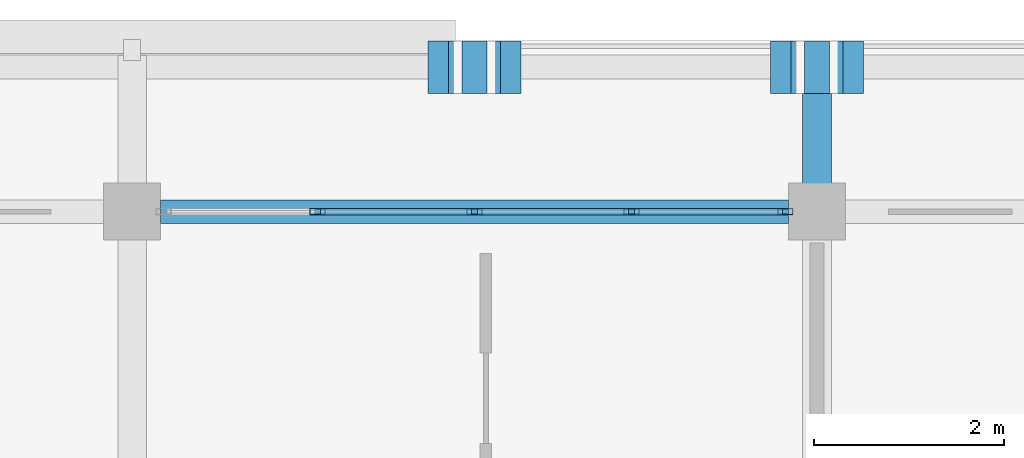
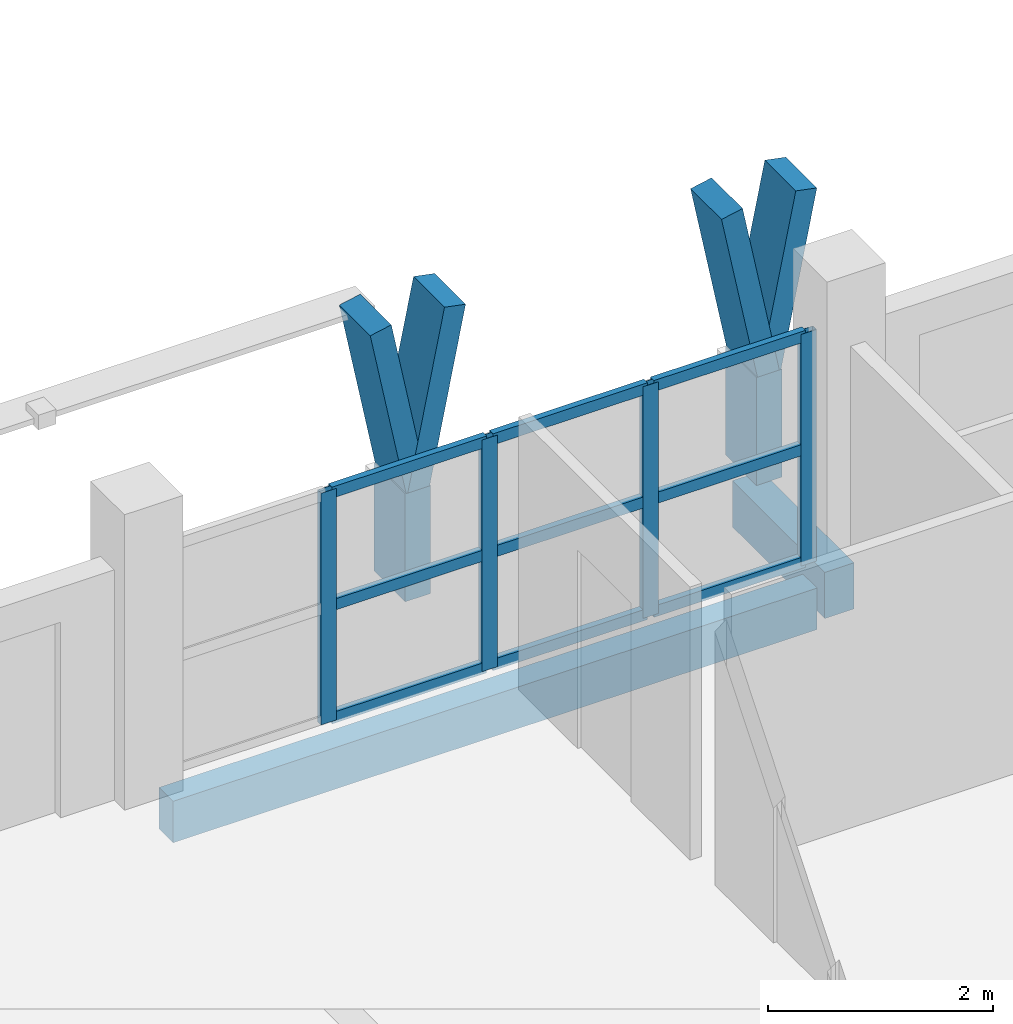
# One storey, part 11 of 56: 19 members, 2 beams, 1 element without a shape of its own.
"""IFC4 building model written with IfcOpenShell, lengths in metres."""

from ifc_helpers import new_model, si_unit, direction, frame, origin, origin_2d, place, context, subcontext, project, spatial, rectangle, hollow_rectangle, extrude, material, material_profile, profile_set, type_object, element, aggregate, save


model = new_model("IFC4")

# Units and contexts
model_context = context("Model", 3, precision=1e-05, world=origin(), true_north=direction((0.0, 1.0)))
body_context = subcontext(model_context, "Body", "Model", "MODEL_VIEW")
ifc_project = project(units=[si_unit("LENGTHUNIT", "METRE"), si_unit("AREAUNIT", "SQUARE_METRE"), si_unit("VOLUMEUNIT", "CUBIC_METRE"), si_unit("PLANEANGLEUNIT", "RADIAN"), si_unit("MASSUNIT", "GRAM", prefix="KILO")], contexts=[model_context])

# Site, building, storey
site_placement = place(None, origin())
site = spatial("IfcSite", under=ifc_project, at=site_placement, CompositionType="ELEMENT")
building_placement = place(site_placement, origin())
building = spatial("IfcBuilding", under=site, at=building_placement, Name="Suanplinth Sawtooth Commons", CompositionType="ELEMENT")
storey_placement = place(building_placement, frame((0.0, 0.0, 34.800048828125)))
storey = spatial("IfcBuildingStorey", under=building, at=storey_placement, Name="L10", CompositionType="ELEMENT", Elevation=34.800048828125)

# Beams
ifc_material_1 = material(Name="Precast concrete C40/50", Category="concrete")
ifc_material_profile_1 = material_profile(ifc_material_1, rectangle(XDim=0.300048828125, YDim=0.5, at=origin_2d()), Name="PC-BM 300x500")
ifc_profile_set_1 = profile_set([ifc_material_profile_1], Name="Precast concrete C40/50")
beam_type_1 = type_object("IfcBeamType", Name="B-07", PredefinedType="BEAM", material=ifc_profile_set_1)
beam_1_placement = place(storey_placement, frame((64.800048828125, 122.39990234375, -0.429931640625), z_axis=(0.0, 1.0, 0.0), x_axis=(-1.0, 0.0, 0.0)))
element("IfcBeam", 1, at=beam_1_placement, inside=storey, type_object=beam_type_1, Name="Balcony Outrigger L10-A-N-9", PredefinedType="BEAM", context=body_context, shape_type="SweptSolid", body=[
    extrude(rectangle(XDim=0.300048828125, YDim=0.5, at=origin_2d()), origin(), (0.0, 0.0, 1.0), 1.64013671875),
])
ifc_material_profile_2 = material_profile(ifc_material_1, rectangle(XDim=0.25, YDim=0.449951171875, at=origin_2d()), Name="PC-SP 250x450")
ifc_profile_set_2 = profile_set([ifc_material_profile_2], Name="Precast concrete C40/50")
beam_type_2 = type_object("IfcBeamType", Name="B-09", PredefinedType="SPANDREL", material=ifc_profile_set_2)
beam_2_placement = place(storey_placement, frame((57.89990234375, 122.39990234375, -0.445068359375), z_axis=(1.0, 0.0, 0.0), x_axis=(0.0, 1.0, 0.0)))
element("IfcBeam", 2, at=beam_2_placement, inside=storey, type_object=beam_type_2, Name="BMX-L10-A-8-17", PredefinedType="SPANDREL", context=body_context, shape_type="SweptSolid", body=[
    extrude(rectangle(XDim=0.25, YDim=0.449951171875, at=origin_2d()), origin(), (0.0, 0.0, 1.0), 6.60009765625),
])

# Members
ifc_material_2 = material(Name="Pigmented precast concrete C40/50", Category="concrete")
ifc_material_profile_3 = material_profile(ifc_material_2, rectangle(XDim=0.260009765625, YDim=0.550048828125, at=origin_2d()), Name="PC-FIN 260x550")
ifc_profile_set_3 = profile_set([ifc_material_profile_3], Name="Pigmented precast concrete C40/50")
member_type_1 = type_object("IfcMemberType", Name="M-09", PredefinedType="USERDEFINED", material=ifc_profile_set_3)
for number, where, z_axis, x_axis, name in (
    (3, (61.199951171875, 123.919921875, 0.0), (0.0, 0.0, 1.0), (1.0, 0.0, 0.0), "Y-Blade Stem L10-A-N-03"),
    (4, (64.800048828125, 123.919921875, 0.0), (0.0, 0.0, 1.0), (1.0, 0.0, 0.0), "Y-Blade Stem L10-A-N-04"),
):
    element("IfcMember", number, at=place(storey_placement, frame(where, z_axis=z_axis, x_axis=x_axis)), inside=storey, type_object=member_type_1, Name=name, ObjectType="SHADING FIN", PredefinedType="USERDEFINED", context=body_context, shape_type="SweptSolid", body=[
        extrude(rectangle(XDim=0.260009765625, YDim=0.550048828125, at=origin_2d()), origin(), (0.0, 0.0, 1.0), 1.169921875),
    ])
ifc_material_profile_4 = material_profile(ifc_material_2, rectangle(XDim=0.219970703125, YDim=0.550048828125, at=origin_2d()), Name="PC-FIN 220x550")
ifc_profile_set_4 = profile_set([ifc_material_profile_4], Name="Pigmented precast concrete C40/50")
member_type_2 = type_object("IfcMemberType", Name="M-10", PredefinedType="USERDEFINED", material=ifc_profile_set_4)
member_1_placement = place(storey_placement, frame((61.199951171875, 123.919921875, 1.1298828125), z_axis=(-0.196285728346, 0.0, 0.980546741796), x_axis=(0.980546741796, 0.0, 0.196285728346)))
element("IfcMember", 5, at=member_1_placement, inside=storey, type_object=member_type_2, Name="Y-Blade Arm L L10-A-N-03", ObjectType="SHADING FIN", PredefinedType="USERDEFINED", context=body_context, shape_type="SweptSolid", body=[
    extrude(rectangle(XDim=0.219970703125, YDim=0.550048828125, at=origin_2d()), origin(), (0.0, 0.0, 1.0), 1.937744140625),
])
for number, where, z_axis, x_axis, name in (
    (6, (61.199951171875, 123.919921875, 1.1298828125), (0.196406855569, 0.0, 0.980522486782), (-0.980522486782, 0.0, 0.196406855569), "Y-Blade Arm R L10-A-N-03"),
    (7, (64.800048828125, 123.919921875, 1.1298828125), (-0.196406855569, 0.0, 0.980522486782), (0.980522486782, 0.0, 0.196406855569), "Y-Blade Arm L L10-A-N-04"),
):
    element("IfcMember", number, at=place(storey_placement, frame(where, z_axis=z_axis, x_axis=x_axis)), inside=storey, type_object=member_type_2, Name=name, ObjectType="SHADING FIN", PredefinedType="USERDEFINED", context=body_context, shape_type="SweptSolid", body=[
        extrude(rectangle(XDim=0.219970703125, YDim=0.550048828125, at=origin_2d()), origin(), (0.0, 0.0, 1.0), 1.93798828125),
    ])
member_2_placement = place(storey_placement, frame((64.800048828125, 123.919921875, 1.1298828125), z_axis=(0.196285728346, 0.0, 0.980546741796), x_axis=(-0.980546741796, 0.0, 0.196285728346)))
element("IfcMember", 8, at=member_2_placement, inside=storey, type_object=member_type_2, Name="Y-Blade Arm R L10-A-N-04", ObjectType="SHADING FIN", PredefinedType="USERDEFINED", context=body_context, shape_type="SweptSolid", body=[
    extrude(rectangle(XDim=0.219970703125, YDim=0.550048828125, at=origin_2d()), origin(), (0.0, 0.0, 1.0), 1.937744140625),
])

# Curtain wall, members
ifc_material_3 = material(Name="Anodized aluminium and low-E glazing", Category="aluminium")
curtain_wall_type = type_object("IfcCurtainWallType", Name="CW-06", PredefinedType="USERDEFINED", material=ifc_material_3)
curtain_wall_placement = place(storey_placement, origin())
curtain_wall = element("IfcCurtainWall", 9, at=curtain_wall_placement, inside=storey, type_object=curtain_wall_type, Name="Curtain Wall CW-L10-A-LOUNGE-5", ObjectType="CURTAIN WALL", PredefinedType="USERDEFINED")
ifc_material_4 = material(Name="Anodized aluminium 6063-T6", Category="aluminium")
ifc_material_profile_5 = material_profile(ifc_material_4, hollow_rectangle(XDim=0.06494140625, YDim=0.159912109375, WallThickness=0.00390625, at=origin_2d()), Name="ALU-MUL 65x160")
ifc_profile_set_5 = profile_set([ifc_material_profile_5], Name="Anodized aluminium 6063-T6")
member_type_3 = type_object("IfcMemberType", Name="M-13", PredefinedType="MULLION", material=ifc_profile_set_5)
member_3_placement = place(storey_placement, frame((59.550048828125, 122.39990234375, 0.0), z_axis=(0.0, 0.0, 1.0), x_axis=(0.0, 1.0, 0.0)))
member_3 = element("IfcMember", 10, at=member_3_placement, type_object=member_type_3, Name="CW-06 mullion 2", PredefinedType="MULLION", context=body_context, shape_type="SweptSolid", body=[
    extrude(hollow_rectangle(XDim=0.06494140625, YDim=0.159912109375, WallThickness=0.00390625, at=origin_2d()), origin(), (0.0, 0.0, 1.0), 2.510009765625),
])
member_4_placement = place(storey_placement, frame((61.199951171875, 122.39990234375, 0.0), z_axis=(0.0, 0.0, 1.0), x_axis=(0.0, 1.0, 0.0)))
member_4 = element("IfcMember", 11, at=member_4_placement, type_object=member_type_3, Name="CW-06 mullion 3", PredefinedType="MULLION", context=body_context, shape_type="SweptSolid", body=[
    extrude(hollow_rectangle(XDim=0.06494140625, YDim=0.159912109375, WallThickness=0.00390625, at=origin_2d()), origin(), (0.0, 0.0, 1.0), 2.510009765625),
])
member_5_placement = place(storey_placement, frame((62.85009765625, 122.39990234375, 0.0), z_axis=(0.0, 0.0, 1.0), x_axis=(0.0, 1.0, 0.0)))
member_5 = element("IfcMember", 12, at=member_5_placement, type_object=member_type_3, Name="CW-06 mullion 4", PredefinedType="MULLION", context=body_context, shape_type="SweptSolid", body=[
    extrude(hollow_rectangle(XDim=0.06494140625, YDim=0.159912109375, WallThickness=0.00390625, at=origin_2d()), origin(), (0.0, 0.0, 1.0), 2.510009765625),
])
member_6_placement = place(storey_placement, frame((64.467529296875, 122.39990234375, 0.0), z_axis=(0.0, 0.0, 1.0), x_axis=(0.0, 1.0, 0.0)))
member_6 = element("IfcMember", 13, at=member_6_placement, type_object=member_type_3, Name="CW-06 mullion 5", PredefinedType="MULLION", context=body_context, shape_type="SweptSolid", body=[
    extrude(hollow_rectangle(XDim=0.06494140625, YDim=0.159912109375, WallThickness=0.00390625, at=origin_2d()), origin(), (0.0, 0.0, 1.0), 2.510009765625),
])
ifc_material_profile_6 = material_profile(ifc_material_4, hollow_rectangle(XDim=0.06494140625, YDim=0.1201171875, WallThickness=0.00390625, at=origin_2d()), Name="ALU-TRN 65x120")
ifc_profile_set_6 = profile_set([ifc_material_profile_6], Name="Anodized aluminium 6063-T6")
member_type_4 = type_object("IfcMemberType", Name="M-15", PredefinedType="USERDEFINED", material=ifc_profile_set_6)
member_7_placement = place(storey_placement, frame((59.58251953125, 122.39990234375, 0.032470703125), z_axis=(1.0, 0.0, 0.0), x_axis=(0.0, 1.0, 0.0)))
member_7 = element("IfcMember", 14, at=member_7_placement, type_object=member_type_4, Name="CW-06 transom 2.1", ObjectType="TRANSOM", PredefinedType="USERDEFINED", context=body_context, shape_type="SweptSolid", body=[
    extrude(hollow_rectangle(XDim=0.06494140625, YDim=0.1201171875, WallThickness=0.00390625, at=origin_2d()), origin(), (0.0, 0.0, 1.0), 1.5849609375),
])
member_8_placement = place(storey_placement, frame((59.58251953125, 122.39990234375, 1.2548828125), z_axis=(1.0, 0.0, 0.0), x_axis=(0.0, 1.0, 0.0)))
member_8 = element("IfcMember", 15, at=member_8_placement, type_object=member_type_4, Name="CW-06 transom 2.2", ObjectType="TRANSOM", PredefinedType="USERDEFINED", context=body_context, shape_type="SweptSolid", body=[
    extrude(hollow_rectangle(XDim=0.06494140625, YDim=0.1201171875, WallThickness=0.00390625, at=origin_2d()), origin(), (0.0, 0.0, 1.0), 1.5849609375),
])
member_9_placement = place(storey_placement, frame((59.58251953125, 122.39990234375, 2.4775390625), z_axis=(1.0, 0.0, 0.0), x_axis=(0.0, 1.0, 0.0)))
member_9 = element("IfcMember", 16, at=member_9_placement, type_object=member_type_4, Name="CW-06 transom 2.3", ObjectType="TRANSOM", PredefinedType="USERDEFINED", context=body_context, shape_type="SweptSolid", body=[
    extrude(hollow_rectangle(XDim=0.06494140625, YDim=0.1201171875, WallThickness=0.00390625, at=origin_2d()), origin(), (0.0, 0.0, 1.0), 1.5849609375),
])
member_10_placement = place(storey_placement, frame((61.232421875, 122.39990234375, 0.032470703125), z_axis=(1.0, 0.0, 0.0), x_axis=(0.0, 1.0, 0.0)))
member_10 = element("IfcMember", 17, at=member_10_placement, type_object=member_type_4, Name="CW-06 transom 3.1", ObjectType="TRANSOM", PredefinedType="USERDEFINED", context=body_context, shape_type="SweptSolid", body=[
    extrude(hollow_rectangle(XDim=0.06494140625, YDim=0.1201171875, WallThickness=0.00390625, at=origin_2d()), origin(), (0.0, 0.0, 1.0), 1.5849609375),
])
member_11_placement = place(storey_placement, frame((61.232421875, 122.39990234375, 1.2548828125), z_axis=(1.0, 0.0, 0.0), x_axis=(0.0, 1.0, 0.0)))
member_11 = element("IfcMember", 18, at=member_11_placement, type_object=member_type_4, Name="CW-06 transom 3.2", ObjectType="TRANSOM", PredefinedType="USERDEFINED", context=body_context, shape_type="SweptSolid", body=[
    extrude(hollow_rectangle(XDim=0.06494140625, YDim=0.1201171875, WallThickness=0.00390625, at=origin_2d()), origin(), (0.0, 0.0, 1.0), 1.5849609375),
])
member_12_placement = place(storey_placement, frame((61.232421875, 122.39990234375, 2.4775390625), z_axis=(1.0, 0.0, 0.0), x_axis=(0.0, 1.0, 0.0)))
member_12 = element("IfcMember", 19, at=member_12_placement, type_object=member_type_4, Name="CW-06 transom 3.3", ObjectType="TRANSOM", PredefinedType="USERDEFINED", context=body_context, shape_type="SweptSolid", body=[
    extrude(hollow_rectangle(XDim=0.06494140625, YDim=0.1201171875, WallThickness=0.00390625, at=origin_2d()), origin(), (0.0, 0.0, 1.0), 1.5849609375),
])
member_13_placement = place(storey_placement, frame((62.882568359375, 122.39990234375, 0.032470703125), z_axis=(1.0, 0.0, 0.0), x_axis=(0.0, 1.0, 0.0)))
member_13 = element("IfcMember", 20, at=member_13_placement, type_object=member_type_4, Name="CW-06 transom 4.1", ObjectType="TRANSOM", PredefinedType="USERDEFINED", context=body_context, shape_type="SweptSolid", body=[
    extrude(hollow_rectangle(XDim=0.06494140625, YDim=0.1201171875, WallThickness=0.00390625, at=origin_2d()), origin(), (0.0, 0.0, 1.0), 1.552490234375),
])
member_14_placement = place(storey_placement, frame((62.882568359375, 122.39990234375, 1.2548828125), z_axis=(1.0, 0.0, 0.0), x_axis=(0.0, 1.0, 0.0)))
member_14 = element("IfcMember", 21, at=member_14_placement, type_object=member_type_4, Name="CW-06 transom 4.2", ObjectType="TRANSOM", PredefinedType="USERDEFINED", context=body_context, shape_type="SweptSolid", body=[
    extrude(hollow_rectangle(XDim=0.06494140625, YDim=0.1201171875, WallThickness=0.00390625, at=origin_2d()), origin(), (0.0, 0.0, 1.0), 1.552490234375),
])
member_15_placement = place(storey_placement, frame((62.882568359375, 122.39990234375, 2.4775390625), z_axis=(1.0, 0.0, 0.0), x_axis=(0.0, 1.0, 0.0)))
member_15 = element("IfcMember", 22, at=member_15_placement, type_object=member_type_4, Name="CW-06 transom 4.3", ObjectType="TRANSOM", PredefinedType="USERDEFINED", context=body_context, shape_type="SweptSolid", body=[
    extrude(hollow_rectangle(XDim=0.06494140625, YDim=0.1201171875, WallThickness=0.00390625, at=origin_2d()), origin(), (0.0, 0.0, 1.0), 1.552490234375),
])
aggregate(curtain_wall, [member_3, member_4, member_5, member_6, member_7, member_8, member_9, member_10, member_11, member_12, member_13, member_14, member_15])

save(model, "model.ifc")
